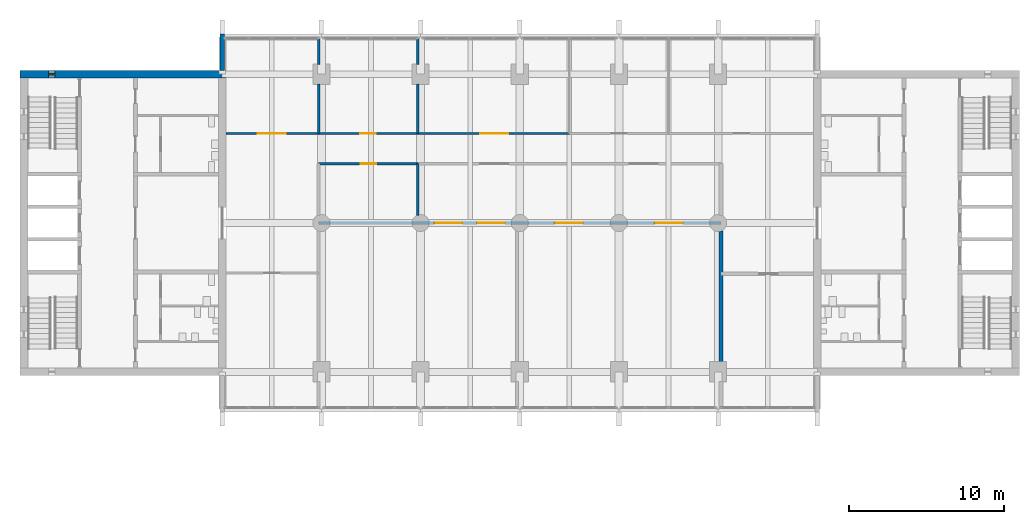
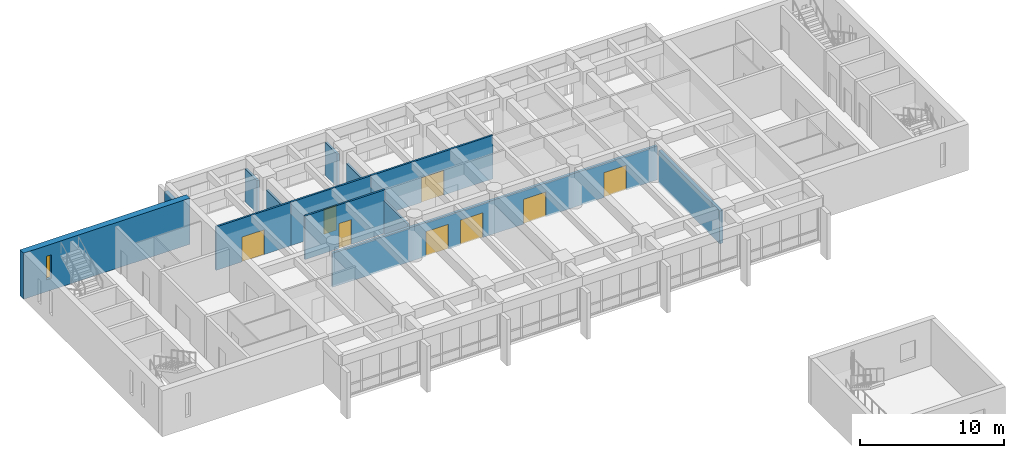
# One storey, part 12 of 19: 13 walls, 8 doors, 1 window, 9 openings.
"""IFC4 building model written with IfcOpenShell, lengths in metres."""

from ifc_helpers import new_model, si_unit, direction, frame, frame_2d, origin, place, context, subcontext, project, spatial, rectangle, extrude, material, layer, layer_set, type_object, element, fill, save


model = new_model("IFC4")

# Units and contexts
model_context = context("Model", 3, precision=1e-05, world=origin(), true_north=direction((0.0, 1.0)))
body_context = subcontext(model_context, "Body", "Model", "MODEL_VIEW")
ifc_project = project(units=[si_unit("LENGTHUNIT", "METRE"), si_unit("AREAUNIT", "SQUARE_METRE"), si_unit("VOLUMEUNIT", "CUBIC_METRE"), si_unit("PLANEANGLEUNIT", "RADIAN"), si_unit("MASSUNIT", "GRAM", prefix="KILO")], contexts=[model_context])

# Site, building, storey
site_placement = place(None, origin())
site = spatial("IfcSite", under=ifc_project, at=site_placement, CompositionType="ELEMENT")
building_placement = place(site_placement, origin())
building = spatial("IfcBuilding", under=site, at=building_placement, Name="Fogon Plaza Fire Station and Headquarters Tower", CompositionType="ELEMENT")
storey_placement = place(building_placement, frame((0.0, 0.0, 17.10009765625)))
storey = spatial("IfcBuildingStorey", under=building, at=storey_placement, Name="L04", CompositionType="ELEMENT", Elevation=17.10009765625)

# Wall
ifc_material_1 = material(Name="Concrete C40", Category="concrete")
ifc_layer_1 = layer(ifc_material_1, 0.300048828125)
ifc_layer_set_1 = layer_set([ifc_layer_1], Name="Concrete C40")
wall_type_1 = type_object("IfcWallType", Name="Fair-faced RC Return Panel 300", PredefinedType="SOLIDWALL", material=ifc_layer_set_1)
wall_1_placement = place(storey_placement, frame((25.60009765625, 53.050048828125, 0.0), z_axis=(0.0, 0.0, 1.0), x_axis=(0.0, 1.0, 0.0)))
element("IfcWall", 1, at=wall_1_placement, inside=storey, type_object=wall_type_1, Name="Bar end return WN L04", PredefinedType="SOLIDWALL", context=body_context, shape_type="SweptSolid", body=[
    extrude(rectangle(XDim=2.349853515625, YDim=0.300048828125, at=frame_2d((1.1748046875, 0.0))), origin(), (0.0, 0.0, 1.0), 2.8798828125),
])

# Wall, opening, window
ifc_material_2 = material(Name="Concrete C40", Category="concrete")
ifc_layer_2 = layer(ifc_material_2, 0.5)
ifc_layer_set_2 = layer_set([ifc_layer_2], Name="Concrete C40")
wall_type_2 = type_object("IfcWallType", Name="Shear wall 500 SW50", PredefinedType="SHEAR", material=ifc_layer_set_2)
wall_2_placement = place(storey_placement, frame((12.550048828125, 52.800048828125, 0.0), z_axis=(0.0, 0.0, 1.0), x_axis=(1.0, 0.0, 0.0)))
wall_2 = element("IfcWall", 2, at=wall_2_placement, inside=storey, type_object=wall_type_2, Name="wall-coreA-N-L04", PredefinedType="SHEAR", context=body_context, shape_type="SweptSolid", body=[
    extrude(rectangle(XDim=13.300048828125, YDim=0.5, at=frame_2d((6.64990234375, 0.0))), origin(), (0.0, 0.0, 1.0), 3.89990234375),
])
opening_1_placement = place(wall_2_placement, frame((1.85009765625, 0.0, 1.0)))
opening_1 = element("IfcOpeningElement", 3, at=opening_1_placement, cuts=wall_2, Name="Opening WS1", PredefinedType="OPENING", context=body_context, shape_type="SweptSolid", body=[
    extrude(rectangle(XDim=0.39990234375, YDim=2.0, at=frame_2d((0.199951171875, 1.0))), frame((0.0, 0.260009765625, 0.0), z_axis=(0.0, -1.0, 0.0), x_axis=(1.0, 0.0, 0.0)), (0.0, 0.0, 1.0), 0.52001953125),
])
ifc_material_3 = material(Name="Aluminium framed double glazing", Category="aluminium")
window_type = type_object("IfcWindowType", Name="Slit Window WS1 400x2000", PartitioningType="SINGLE_PANEL", PredefinedType="WINDOW", material=ifc_material_3)
window_placement = place(opening_1_placement, origin())
window = element("IfcWindow", 4, at=window_placement, inside=storey, type_object=window_type, Name="Slit window A6 L04", OverallHeight=2.0, OverallWidth=0.39990234375, PartitioningType="SINGLE_PANEL", PredefinedType="WINDOW", context=body_context, shape_type="SweptSolid", body=[
    extrude(rectangle(XDim=0.39990234375, YDim=2.0, at=frame_2d((0.199951171875, 1.0))), frame((0.0, 0.030029296875, 0.0), z_axis=(0.0, -1.0, 0.0), x_axis=(1.0, 0.0, 0.0)), (0.0, 0.0, 1.0), 0.06005859375),
])
fill(opening_1, window)

# Walls
ifc_material_4 = material(Name="Double gypsum board on twin steel stud", Category="steel")
ifc_layer_3 = layer(ifc_material_4, 0.175048828125)
ifc_layer_set_3 = layer_set([ifc_layer_3], Name="Double gypsum board on twin steel stud")
wall_type_3 = type_object("IfcWallType", Name="Tower acoustic partition 175 Beam Head 900", PredefinedType="PARTITIONING", material=ifc_layer_set_3)
wall_3_placement = place(storey_placement, frame((31.820068359375, 48.97509765625, 0.0), z_axis=(0.0, 0.0, 1.0), x_axis=(0.0, 1.0, 0.0)))
element("IfcWall", 5, at=wall_3_placement, inside=storey, type_object=wall_type_3, Name="part-L04-11", PredefinedType="PARTITIONING", context=body_context, shape_type="SweptSolid", body=[
    extrude(rectangle(XDim=3.19482421875, YDim=0.175048828125, at=frame_2d((1.597412109375, 0.0))), origin(), (0.0, 0.0, 1.0), 2.77978515625),
])
wall_4_placement = place(storey_placement, frame((31.820068359375, 53.429931640625, 0.0), z_axis=(0.0, 0.0, 1.0), x_axis=(0.0, 1.0, 0.0)))
element("IfcWall", 6, at=wall_4_placement, inside=storey, type_object=wall_type_3, Name="part-L04-12", PredefinedType="PARTITIONING", context=body_context, shape_type="SweptSolid", body=[
    extrude(rectangle(XDim=1.670166015625, YDim=0.175048828125, at=frame_2d((0.8349609375, 0.0))), origin(), (0.0, 0.0, 1.0), 2.77978515625),
])
wall_5_placement = place(storey_placement, frame((38.219970703125, 48.97509765625, 0.0), z_axis=(0.0, 0.0, 1.0), x_axis=(0.0, 1.0, 0.0)))
element("IfcWall", 7, at=wall_5_placement, inside=storey, type_object=wall_type_3, Name="part-L04-13", PredefinedType="PARTITIONING", context=body_context, shape_type="SweptSolid", body=[
    extrude(rectangle(XDim=3.19482421875, YDim=0.175048828125, at=frame_2d((1.597412109375, 0.0))), origin(), (0.0, 0.0, 1.0), 2.77978515625),
])
wall_6_placement = place(storey_placement, frame((38.219970703125, 53.429931640625, 0.0), z_axis=(0.0, 0.0, 1.0), x_axis=(0.0, 1.0, 0.0)))
element("IfcWall", 8, at=wall_6_placement, inside=storey, type_object=wall_type_3, Name="part-L04-14", PredefinedType="PARTITIONING", context=body_context, shape_type="SweptSolid", body=[
    extrude(rectangle(XDim=1.670166015625, YDim=0.175048828125, at=frame_2d((0.8349609375, 0.0))), origin(), (0.0, 0.0, 1.0), 2.77978515625),
])

# Wall, openings, doors
ifc_material_5 = material(Name="Concrete block masonry", Category="masonry")
ifc_layer_4 = layer(ifc_material_5, 0.199951171875)
ifc_layer_set_4 = layer_set([ifc_layer_4], Name="Concrete block masonry")
wall_type_4 = type_object("IfcWallType", Name="Tower compartment wall 200 EI 120 Beam Head 800", PredefinedType="PARTITIONING", material=ifc_layer_set_4)
wall_7_placement = place(storey_placement, frame((31.820068359375, 43.199951171875, 0.0), z_axis=(0.0, 0.0, 1.0), x_axis=(1.0, 0.0, 0.0)))
wall_7 = element("IfcWall", 9, at=wall_7_placement, inside=storey, type_object=wall_type_4, Name="part-L04-17", PredefinedType="PARTITIONING", context=body_context, shape_type="SweptSolid", body=[
    extrude(rectangle(XDim=25.9599609375, YDim=0.199951171875, at=frame_2d((12.97998046875, 0.0))), origin(), (0.0, 0.0, 1.0), 2.8798828125),
])
opening_2_placement = place(wall_7_placement, frame((7.47509765625, 0.0, 0.0)))
opening_2 = element("IfcOpeningElement", 10, at=opening_2_placement, cuts=wall_7, Name="Opening L04-D39", PredefinedType="OPENING", context=body_context, shape_type="SweptSolid", body=[
    extrude(rectangle(XDim=1.800048828125, YDim=2.10009765625, at=frame_2d((0.89990234375, 1.050048828125))), frame((0.0, 0.10986328125, 0.0), z_axis=(0.0, -1.0, 0.0), x_axis=(1.0, 0.0, 0.0)), (0.0, 0.0, 1.0), 0.219970703125),
])
opening_3_placement = place(wall_7_placement, frame((10.22509765625, 0.0, 0.0)))
opening_3 = element("IfcOpeningElement", 11, at=opening_3_placement, cuts=wall_7, Name="Opening L04-D40", PredefinedType="OPENING", context=body_context, shape_type="SweptSolid", body=[
    extrude(rectangle(XDim=1.800048828125, YDim=2.10009765625, at=frame_2d((0.89990234375, 1.050048828125))), frame((0.0, 0.10986328125, 0.0), z_axis=(0.0, -1.0, 0.0), x_axis=(1.0, 0.0, 0.0)), (0.0, 0.0, 1.0), 0.219970703125),
])
opening_4_placement = place(wall_7_placement, frame((15.25, 0.0, 0.0)))
opening_4 = element("IfcOpeningElement", 12, at=opening_4_placement, cuts=wall_7, Name="Opening L04-D41", PredefinedType="OPENING", context=body_context, shape_type="SweptSolid", body=[
    extrude(rectangle(XDim=1.800048828125, YDim=2.10009765625, at=frame_2d((0.89990234375, 1.050048828125))), frame((0.0, 0.10986328125, 0.0), z_axis=(0.0, -1.0, 0.0), x_axis=(1.0, 0.0, 0.0)), (0.0, 0.0, 1.0), 0.219970703125),
])
opening_5_placement = place(wall_7_placement, frame((21.699951171875, 0.0, 0.0)))
opening_5 = element("IfcOpeningElement", 13, at=opening_5_placement, cuts=wall_7, Name="Opening L04-D42", PredefinedType="OPENING", context=body_context, shape_type="SweptSolid", body=[
    extrude(rectangle(XDim=1.800048828125, YDim=2.10009765625, at=frame_2d((0.89990234375, 1.050048828125))), frame((0.0, 0.10986328125, 0.0), z_axis=(0.0, -1.0, 0.0), x_axis=(1.0, 0.0, 0.0)), (0.0, 0.0, 1.0), 0.219970703125),
])
ifc_material_6 = material(Name="Steel fire door", Category="steel")
door_type_1 = type_object("IfcDoorType", Name="Tower compartment door double 1800 EI 90", OperationType="DOUBLE_DOOR_SINGLE_SWING", PredefinedType="DOOR", material=ifc_material_6)
door_1_placement = place(opening_2_placement, frame((1.800048828125, 0.0, 0.0), z_axis=(0.0, 0.0, 1.0), x_axis=(-1.0, 0.0, 0.0)))
door_1 = element("IfcDoor", 14, at=door_1_placement, inside=storey, type_object=door_type_1, Name="door-L04-11", OperationType="DOUBLE_DOOR_SINGLE_SWING", OverallHeight=2.10009765625, OverallWidth=1.800048828125, PredefinedType="DOOR", context=body_context, shape_type="SweptSolid", body=[
    extrude(rectangle(XDim=1.800048828125, YDim=2.10009765625, at=frame_2d((0.89990234375, 1.050048828125))), frame((0.0, 0.02490234375, 0.0), z_axis=(0.0, -1.0, 0.0), x_axis=(1.0, 0.0, 0.0)), (0.0, 0.0, 1.0), 0.050048828125),
])
fill(opening_2, door_1)
door_2_placement = place(opening_3_placement, frame((1.800048828125, 0.0, 0.0), z_axis=(0.0, 0.0, 1.0), x_axis=(-1.0, 0.0, 0.0)))
door_2 = element("IfcDoor", 15, at=door_2_placement, inside=storey, type_object=door_type_1, Name="door-L04-12", OperationType="DOUBLE_DOOR_SINGLE_SWING", OverallHeight=2.10009765625, OverallWidth=1.800048828125, PredefinedType="DOOR", context=body_context, shape_type="SweptSolid", body=[
    extrude(rectangle(XDim=1.800048828125, YDim=2.10009765625, at=frame_2d((0.89990234375, 1.050048828125))), frame((0.0, 0.02490234375, 0.0), z_axis=(0.0, -1.0, 0.0), x_axis=(1.0, 0.0, 0.0)), (0.0, 0.0, 1.0), 0.050048828125),
])
fill(opening_3, door_2)
door_3_placement = place(opening_4_placement, frame((1.800048828125, 0.0, 0.0), z_axis=(0.0, 0.0, 1.0), x_axis=(-1.0, 0.0, 0.0)))
door_3 = element("IfcDoor", 16, at=door_3_placement, inside=storey, type_object=door_type_1, Name="door-L04-13", OperationType="DOUBLE_DOOR_SINGLE_SWING", OverallHeight=2.10009765625, OverallWidth=1.800048828125, PredefinedType="DOOR", context=body_context, shape_type="SweptSolid", body=[
    extrude(rectangle(XDim=1.800048828125, YDim=2.10009765625, at=frame_2d((0.89990234375, 1.050048828125))), frame((0.0, 0.02490234375, 0.0), z_axis=(0.0, -1.0, 0.0), x_axis=(1.0, 0.0, 0.0)), (0.0, 0.0, 1.0), 0.050048828125),
])
fill(opening_4, door_3)
door_4_placement = place(opening_5_placement, frame((1.800048828125, 0.0, 0.0), z_axis=(0.0, 0.0, 1.0), x_axis=(-1.0, 0.0, 0.0)))
door_4 = element("IfcDoor", 17, at=door_4_placement, inside=storey, type_object=door_type_1, Name="door-L04-14", OperationType="DOUBLE_DOOR_SINGLE_SWING", OverallHeight=2.10009765625, OverallWidth=1.800048828125, PredefinedType="DOOR", context=body_context, shape_type="SweptSolid", body=[
    extrude(rectangle(XDim=1.800048828125, YDim=2.10009765625, at=frame_2d((0.89990234375, 1.050048828125))), frame((0.0, 0.02490234375, 0.0), z_axis=(0.0, -1.0, 0.0), x_axis=(1.0, 0.0, 0.0)), (0.0, 0.0, 1.0), 0.050048828125),
])
fill(opening_5, door_4)

# Wall, opening, door
ifc_material_7 = material(Name="Gypsum board on steel stud", Category="steel")
ifc_layer_5 = layer(ifc_material_7, 0.14990234375)
ifc_layer_set_5 = layer_set([ifc_layer_5], Name="Gypsum board on steel stud")
wall_type_5 = type_object("IfcWallType", Name="Tower corridor partition 150 EI 60", PredefinedType="PARTITIONING", material=ifc_layer_set_5)
wall_8_placement = place(storey_placement, frame((31.820068359375, 47.02490234375, 0.0), z_axis=(0.0, 0.0, 1.0), x_axis=(1.0, 0.0, 0.0)))
wall_8 = element("IfcWall", 18, at=wall_8_placement, inside=storey, type_object=wall_type_5, Name="part-L04-03", PredefinedType="PARTITIONING", context=body_context, shape_type="SweptSolid", body=[
    extrude(rectangle(XDim=6.39990234375, YDim=0.14990234375, at=frame_2d((3.199951171875, 0.0))), origin(), (0.0, 0.0, 1.0), 3.679931640625),
])
opening_6_placement = place(wall_8_placement, frame((2.72998046875, 0.0, 0.0)))
opening_6 = element("IfcOpeningElement", 19, at=opening_6_placement, cuts=wall_8, Name="Opening L04-D29", PredefinedType="OPENING", context=body_context, shape_type="SweptSolid", body=[
    extrude(rectangle(XDim=1.0, YDim=2.10009765625, at=frame_2d((0.5, 1.050048828125))), frame((0.0, 0.0849609375, 0.0), z_axis=(0.0, -1.0, 0.0), x_axis=(1.0, 0.0, 0.0)), (0.0, 0.0, 1.0), 0.169921875),
])
ifc_material_8 = material(Name="Fire rated glazed door")
door_type_2 = type_object("IfcDoorType", Name="Tower glazed fire door single 1000 EI 20", OperationType="SINGLE_SWING_LEFT", PredefinedType="DOOR", material=ifc_material_8)
door_5_placement = place(opening_6_placement, frame((1.0, 0.0, 0.0), z_axis=(0.0, 0.0, 1.0), x_axis=(-1.0, 0.0, 0.0)))
door_5 = element("IfcDoor", 20, at=door_5_placement, inside=storey, type_object=door_type_2, Name="door-L04-01", OperationType="SINGLE_SWING_RIGHT", OverallHeight=2.10009765625, OverallWidth=1.0, PredefinedType="DOOR", context=body_context, shape_type="SweptSolid", body=[
    extrude(rectangle(XDim=1.0, YDim=2.10009765625, at=frame_2d((0.5, 1.050048828125))), frame((0.0, 0.02490234375, 0.0), z_axis=(0.0, -1.0, 0.0), x_axis=(1.0, 0.0, 0.0)), (0.0, 0.0, 1.0), 0.050048828125),
])
fill(opening_6, door_5)

wall_9_placement = place(storey_placement, frame((25.85009765625, 48.97509765625, 0.0), z_axis=(0.0, 0.0, 1.0), x_axis=(1.0, 0.0, 0.0)))
wall_9 = element("IfcWall", 21, at=wall_9_placement, inside=storey, type_object=wall_type_5, Name="part-L04-06", PredefinedType="PARTITIONING", context=body_context, shape_type="SweptSolid", body=[
    extrude(rectangle(XDim=5.969970703125, YDim=0.14990234375, at=frame_2d((2.98486328125, 0.0))), origin(), (0.0, 0.0, 1.0), 3.679931640625),
])
opening_7_placement = place(wall_9_placement, frame((2.050048828125, 0.0, 0.0)))
opening_7 = element("IfcOpeningElement", 22, at=opening_7_placement, cuts=wall_9, Name="Opening L04-D32", PredefinedType="OPENING", context=body_context, shape_type="SweptSolid", body=[
    extrude(rectangle(XDim=1.800048828125, YDim=2.10009765625, at=frame_2d((0.89990234375, 1.050048828125))), frame((0.0, 0.0849609375, 0.0), z_axis=(0.0, -1.0, 0.0), x_axis=(1.0, 0.0, 0.0)), (0.0, 0.0, 1.0), 0.169921875),
])
ifc_material_9 = material(Name="Timber fire door", Category="wood")
door_type_3 = type_object("IfcDoorType", Name="Tower fire door double 1800 EI 20", OperationType="DOUBLE_DOOR_SINGLE_SWING", PredefinedType="DOOR", material=ifc_material_9)
door_6_placement = place(opening_7_placement, origin())
door_6 = element("IfcDoor", 23, at=door_6_placement, inside=storey, type_object=door_type_3, Name="door-L04-04", OperationType="DOUBLE_DOOR_SINGLE_SWING", OverallHeight=2.10009765625, OverallWidth=1.800048828125, PredefinedType="DOOR", context=body_context, shape_type="SweptSolid", body=[
    extrude(rectangle(XDim=1.800048828125, YDim=2.10009765625, at=frame_2d((0.89990234375, 1.050048828125))), frame((0.0, 0.02490234375, 0.0), z_axis=(0.0, -1.0, 0.0), x_axis=(1.0, 0.0, 0.0)), (0.0, 0.0, 1.0), 0.050048828125),
])
fill(opening_7, door_6)

wall_10_placement = place(storey_placement, frame((31.820068359375, 48.97509765625, 0.0), z_axis=(0.0, 0.0, 1.0), x_axis=(1.0, 0.0, 0.0)))
wall_10 = element("IfcWall", 24, at=wall_10_placement, inside=storey, type_object=wall_type_5, Name="part-L04-07", PredefinedType="PARTITIONING", context=body_context, shape_type="SweptSolid", body=[
    extrude(rectangle(XDim=6.39990234375, YDim=0.14990234375, at=frame_2d((3.199951171875, 0.0))), origin(), (0.0, 0.0, 1.0), 3.679931640625),
])
opening_8_placement = place(wall_10_placement, frame((2.679931640625, 0.0, 0.0)))
opening_8 = element("IfcOpeningElement", 25, at=opening_8_placement, cuts=wall_10, Name="Opening L04-D33", PredefinedType="OPENING", context=body_context, shape_type="SweptSolid", body=[
    extrude(rectangle(XDim=1.0, YDim=2.10009765625, at=frame_2d((0.5, 1.050048828125))), frame((0.0, 0.0849609375, 0.0), z_axis=(0.0, -1.0, 0.0), x_axis=(1.0, 0.0, 0.0)), (0.0, 0.0, 1.0), 0.169921875),
])
ifc_material_10 = material(Name="Timber fire door", Category="wood")
door_type_4 = type_object("IfcDoorType", Name="Tower fire door single 1000 EI 20", OperationType="SINGLE_SWING_LEFT", PredefinedType="DOOR", material=ifc_material_10)
door_7_placement = place(opening_8_placement, origin())
door_7 = element("IfcDoor", 26, at=door_7_placement, inside=storey, type_object=door_type_4, Name="door-L04-05", OperationType="SINGLE_SWING_RIGHT", OverallHeight=2.10009765625, OverallWidth=1.0, PredefinedType="DOOR", context=body_context, shape_type="SweptSolid", body=[
    extrude(rectangle(XDim=1.0, YDim=2.10009765625, at=frame_2d((0.5, 1.050048828125))), frame((0.0, 0.02490234375, 0.0), z_axis=(0.0, -1.0, 0.0), x_axis=(1.0, 0.0, 0.0)), (0.0, 0.0, 1.0), 0.050048828125),
])
fill(opening_8, door_7)

wall_11_placement = place(storey_placement, frame((38.219970703125, 48.97509765625, 0.0), z_axis=(0.0, 0.0, 1.0), x_axis=(1.0, 0.0, 0.0)))
wall_11 = element("IfcWall", 27, at=wall_11_placement, inside=storey, type_object=wall_type_5, Name="part-L04-08", PredefinedType="PARTITIONING", context=body_context, shape_type="SweptSolid", body=[
    extrude(rectangle(XDim=9.780029296875, YDim=0.14990234375, at=frame_2d((4.89013671875, 0.0))), origin(), (0.0, 0.0, 1.0), 3.679931640625),
])
opening_9_placement = place(wall_11_placement, frame((4.030029296875, 0.0, 0.0)))
opening_9 = element("IfcOpeningElement", 28, at=opening_9_placement, cuts=wall_11, Name="Opening L04-D34", PredefinedType="OPENING", context=body_context, shape_type="SweptSolid", body=[
    extrude(rectangle(XDim=1.800048828125, YDim=2.10009765625, at=frame_2d((0.89990234375, 1.050048828125))), frame((0.0, 0.0849609375, 0.0), z_axis=(0.0, -1.0, 0.0), x_axis=(1.0, 0.0, 0.0)), (0.0, 0.0, 1.0), 0.169921875),
])
door_8_placement = place(opening_9_placement, origin())
door_8 = element("IfcDoor", 29, at=door_8_placement, inside=storey, type_object=door_type_3, Name="door-L04-06", OperationType="DOUBLE_DOOR_SINGLE_SWING", OverallHeight=2.10009765625, OverallWidth=1.800048828125, PredefinedType="DOOR", context=body_context, shape_type="SweptSolid", body=[
    extrude(rectangle(XDim=1.800048828125, YDim=2.10009765625, at=frame_2d((0.89990234375, 1.050048828125))), frame((0.0, 0.02490234375, 0.0), z_axis=(0.0, -1.0, 0.0), x_axis=(1.0, 0.0, 0.0)), (0.0, 0.0, 1.0), 0.050048828125),
])
fill(opening_9, door_8)

# Walls
ifc_material_11 = material(Name="Gypsum board on steel stud", Category="steel")
ifc_layer_6 = layer(ifc_material_11, 0.14990234375)
ifc_layer_set_6 = layer_set([ifc_layer_6], Name="Gypsum board on steel stud")
wall_type_6 = type_object("IfcWallType", Name="Tower corridor partition 150 EI 60 Beam Head 900", PredefinedType="PARTITIONING", material=ifc_layer_set_6)
wall_12_placement = place(storey_placement, frame((38.219970703125, 43.69970703125, 0.0), z_axis=(0.0, 0.0, 1.0), x_axis=(0.0, 1.0, 0.0)))
element("IfcWall", 30, at=wall_12_placement, inside=storey, type_object=wall_type_6, Name="part-L04-05", PredefinedType="PARTITIONING", context=body_context, shape_type="SweptSolid", body=[
    extrude(rectangle(XDim=3.3251953125, YDim=0.14990234375, at=frame_2d((1.66259765625, 0.0))), origin(), (0.0, 0.0, 1.0), 2.77978515625),
])
ifc_material_12 = material(Name="Concrete block masonry", Category="masonry")
ifc_layer_7 = layer(ifc_material_12, 0.25)
ifc_layer_set_7 = layer_set([ifc_layer_7], Name="Concrete block masonry")
wall_type_7 = type_object("IfcWallType", Name="Tower plant wall 250 EI 120 Beam Head 900", PredefinedType="PARTITIONING", material=ifc_layer_set_7)
wall_13_placement = place(storey_placement, frame((57.780029296875, 34.22998046875, 0.0), z_axis=(0.0, 0.0, 1.0), x_axis=(0.0, 1.0, 0.0)))
element("IfcWall", 31, at=wall_13_placement, inside=storey, type_object=wall_type_7, Name="part-L04-24", PredefinedType="PARTITIONING", context=body_context, shape_type="SweptSolid", body=[
    extrude(rectangle(XDim=8.47021484375, YDim=0.25, at=frame_2d((4.235107421875, 0.0))), origin(), (0.0, 0.0, 1.0), 2.77978515625),
])

save(model, "model.ifc")
